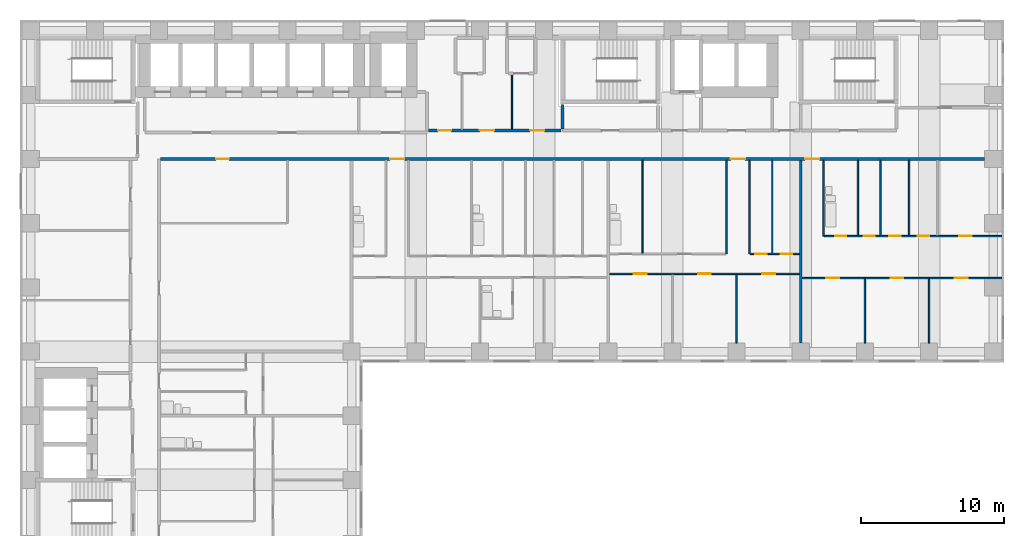
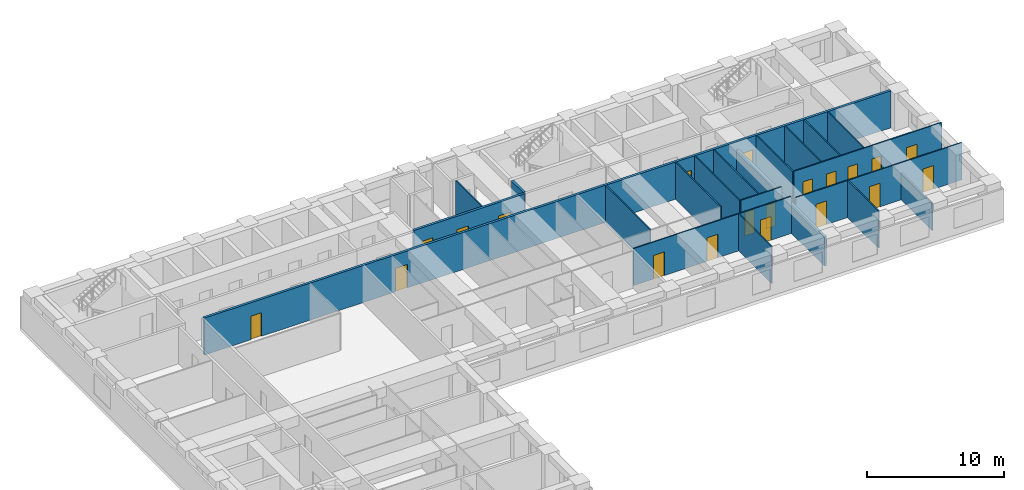
# One storey, part 7 of 12: 20 doors, 20 walls, 20 openings.
"""IFC4 building model written with IfcOpenShell, lengths in metres."""

from ifc_helpers import new_model, si_unit, direction, frame, frame_2d, origin, place, context, subcontext, project, spatial, rectangle, extrude, material, layer, layer_set, type_object, element, fill, save


model = new_model("IFC4")

# Units and contexts
model_context = context("Model", 3, precision=1e-05, world=origin(), true_north=direction((0.0, 1.0)))
body_context = subcontext(model_context, "Body", "Model", "MODEL_VIEW")
ifc_project = project(units=[si_unit("LENGTHUNIT", "METRE"), si_unit("AREAUNIT", "SQUARE_METRE"), si_unit("VOLUMEUNIT", "CUBIC_METRE"), si_unit("PLANEANGLEUNIT", "RADIAN"), si_unit("MASSUNIT", "GRAM", prefix="KILO")], contexts=[model_context])

# Site, building, storey
site_placement = place(None, origin())
site = spatial("IfcSite", under=ifc_project, at=site_placement, CompositionType="ELEMENT")
building_placement = place(site_placement, origin())
building = spatial("IfcBuilding", under=site, at=building_placement, Name="Firuza Court", CompositionType="ELEMENT")
storey_placement = place(building_placement, frame((0.0, 0.0, 54.199951171875)))
storey = spatial("IfcBuildingStorey", under=building, at=storey_placement, Name="L12", CompositionType="ELEMENT", Elevation=54.199951171875)

# Walls
ifc_material_1 = material(Name="Moisture-resistant gypsum board partition")
ifc_layer_1 = layer(ifc_material_1, 0.10009765625)
ifc_layer_set_1 = layer_set([ifc_layer_1], Name="Moisture-resistant gypsum board partition")
wall_type_1 = type_object("IfcWallType", Name="Bathroom partition 100", PredefinedType="PLUMBINGWALL", material=ifc_layer_set_1)
wall_1_placement = place(storey_placement, frame((42.89990234375, 42.89990234375, 0.0), z_axis=(0.0, 0.0, 1.0), x_axis=(0.0, 1.0, 0.0)))
element("IfcWall", 1, at=wall_1_placement, inside=storey, type_object=wall_type_1, Name="Bathroom partition 100 L12", PredefinedType="PLUMBINGWALL", context=body_context, shape_type="SweptSolid", body=[
    extrude(rectangle(XDim=6.5, YDim=0.10009765625, at=frame_2d((3.25, 0.0))), origin(), (0.0, 0.0, 1.0), 3.300048828125),
])
wall_2_placement = place(storey_placement, frame((55.60009765625, 44.10009765625, 0.0), z_axis=(0.0, 0.0, 1.0), x_axis=(0.0, 1.0, 0.0)))
element("IfcWall", 2, at=wall_2_placement, inside=storey, type_object=wall_type_1, Name="Bathroom partition 100 L12", PredefinedType="PLUMBINGWALL", context=body_context, shape_type="SweptSolid", body=[
    extrude(rectangle(XDim=5.2998046875, YDim=0.10009765625, at=frame_2d((2.64990234375, 0.0))), origin(), (0.0, 0.0, 1.0), 3.300048828125),
])
wall_3_placement = place(storey_placement, frame((58.0, 44.14990234375, 0.0), z_axis=(0.0, 0.0, 1.0), x_axis=(0.0, 1.0, 0.0)))
element("IfcWall", 3, at=wall_3_placement, inside=storey, type_object=wall_type_1, Name="Bathroom partition 100 L12", PredefinedType="PLUMBINGWALL", context=body_context, shape_type="SweptSolid", body=[
    extrude(rectangle(XDim=5.25, YDim=0.10009765625, at=frame_2d((2.625, 0.0))), origin(), (0.0, 0.0, 1.0), 3.300048828125),
])

# Wall, openings, doors
ifc_material_2 = material(Name="Blockwork, plastered both sides", Category="masonry")
ifc_layer_2 = layer(ifc_material_2, 0.199951171875)
ifc_layer_set_2 = layer_set([ifc_layer_2], Name="Blockwork, plastered both sides")
wall_type_2 = type_object("IfcWallType", Name="Corridor wall 200", PredefinedType="PARTITIONING", material=ifc_layer_set_2)
wall_4_placement = place(storey_placement, frame((9.10009765625, 49.5, 0.0), z_axis=(0.0, 0.0, 1.0), x_axis=(1.0, 0.0, 0.0)))
wall_4 = element("IfcWall", 4, at=wall_4_placement, inside=storey, type_object=wall_type_2, Name="Corridor wall 200 L12", PredefinedType="PARTITIONING", context=body_context, shape_type="SweptSolid", body=[
    extrude(rectangle(XDim=57.7998046875, YDim=0.199951171875, at=frame_2d((28.89990234375, 0.0))), origin(), (0.0, 0.0, 1.0), 3.300048828125),
])
opening_1_placement = place(wall_4_placement, frame((16.10009765625, 0.0, 0.0)))
opening_1 = element("IfcOpeningElement", 5, at=opening_1_placement, cuts=wall_4, Name="Opening D12070", PredefinedType="OPENING", context=body_context, shape_type="SweptSolid", body=[
    extrude(rectangle(XDim=1.0, YDim=2.10009765625, at=frame_2d((0.5, 1.050048828125))), frame((0.0, 0.11181640625, 0.0), z_axis=(0.0, -1.0, 0.0), x_axis=(1.0, 0.0, 0.0)), (0.0, 0.0, 1.0), 0.223876953125),
])
opening_2_placement = place(wall_4_placement, frame((40.0, 0.0, 0.0)))
opening_2 = element("IfcOpeningElement", 6, at=opening_2_placement, cuts=wall_4, Name="Opening D12071", PredefinedType="OPENING", context=body_context, shape_type="SweptSolid", body=[
    extrude(rectangle(XDim=1.0, YDim=2.10009765625, at=frame_2d((0.5, 1.050048828125))), frame((0.0, 0.11181640625, 0.0), z_axis=(0.0, -1.0, 0.0), x_axis=(1.0, 0.0, 0.0)), (0.0, 0.0, 1.0), 0.223876953125),
])
opening_3_placement = place(wall_4_placement, frame((45.199951171875, 0.0, 0.0)))
opening_3 = element("IfcOpeningElement", 7, at=opening_3_placement, cuts=wall_4, Name="Opening D12072", PredefinedType="OPENING", context=body_context, shape_type="SweptSolid", body=[
    extrude(rectangle(XDim=1.0, YDim=2.10009765625, at=frame_2d((0.5, 1.050048828125))), frame((0.0, 0.11181640625, 0.0), z_axis=(0.0, -1.0, 0.0), x_axis=(1.0, 0.0, 0.0)), (0.0, 0.0, 1.0), 0.223876953125),
])
opening_4_placement = place(wall_4_placement, frame((3.89990234375, 0.0, 0.0)))
opening_4 = element("IfcOpeningElement", 8, at=opening_4_placement, cuts=wall_4, Name="Opening D12073", PredefinedType="OPENING", context=body_context, shape_type="SweptSolid", body=[
    extrude(rectangle(XDim=0.89990234375, YDim=2.10009765625, at=frame_2d((0.449951171875, 1.050048828125))), frame((0.0, 0.11181640625, 0.0), z_axis=(0.0, -1.0, 0.0), x_axis=(1.0, 0.0, 0.0)), (0.0, 0.0, 1.0), 0.223876953125),
])
ifc_material_3 = material(Name="Timber door leaf in hardwood frame", Category="wood")
door_type_1 = type_object("IfcDoorType", Name="Flat entrance door 1000", OperationType="SINGLE_SWING_LEFT", PredefinedType="DOOR", material=ifc_material_3)
door_1_placement = place(opening_1_placement, origin())
door_1 = element("IfcDoor", 9, at=door_1_placement, inside=storey, type_object=door_type_1, Name="Flat entrance door", OperationType="SINGLE_SWING_LEFT", OverallHeight=2.10009765625, OverallWidth=1.0, PredefinedType="DOOR", context=body_context, shape_type="SweptSolid", body=[
    extrude(rectangle(XDim=1.0, YDim=2.10009765625, at=frame_2d((0.5, 1.050048828125))), frame((0.0, 0.02490234375, 0.0), z_axis=(0.0, -1.0, 0.0), x_axis=(1.0, 0.0, 0.0)), (0.0, 0.0, 1.0), 0.050048828125),
])
fill(opening_1, door_1)
door_2_placement = place(opening_2_placement, origin())
door_2 = element("IfcDoor", 10, at=door_2_placement, inside=storey, type_object=door_type_1, Name="Flat entrance door", OperationType="SINGLE_SWING_LEFT", OverallHeight=2.10009765625, OverallWidth=1.0, PredefinedType="DOOR", context=body_context, shape_type="SweptSolid", body=[
    extrude(rectangle(XDim=1.0, YDim=2.10009765625, at=frame_2d((0.5, 1.050048828125))), frame((0.0, 0.02490234375, 0.0), z_axis=(0.0, -1.0, 0.0), x_axis=(1.0, 0.0, 0.0)), (0.0, 0.0, 1.0), 0.050048828125),
])
fill(opening_2, door_2)
door_3_placement = place(opening_3_placement, origin())
door_3 = element("IfcDoor", 11, at=door_3_placement, inside=storey, type_object=door_type_1, Name="Flat entrance door", OperationType="SINGLE_SWING_LEFT", OverallHeight=2.10009765625, OverallWidth=1.0, PredefinedType="DOOR", context=body_context, shape_type="SweptSolid", body=[
    extrude(rectangle(XDim=1.0, YDim=2.10009765625, at=frame_2d((0.5, 1.050048828125))), frame((0.0, 0.02490234375, 0.0), z_axis=(0.0, -1.0, 0.0), x_axis=(1.0, 0.0, 0.0)), (0.0, 0.0, 1.0), 0.050048828125),
])
fill(opening_3, door_3)
ifc_material_4 = material(Name="Timber door leaf in hardwood frame", Category="wood")
door_type_2 = type_object("IfcDoorType", Name="Room door 900 EI 30", OperationType="SINGLE_SWING_LEFT", PredefinedType="DOOR", material=ifc_material_4)
door_4_placement = place(opening_4_placement, origin())
door_4 = element("IfcDoor", 12, at=door_4_placement, inside=storey, type_object=door_type_2, Name="Fitness studio door", OperationType="SINGLE_SWING_LEFT", OverallHeight=2.10009765625, OverallWidth=0.89990234375, PredefinedType="DOOR", context=body_context, shape_type="SweptSolid", body=[
    extrude(rectangle(XDim=0.89990234375, YDim=2.10009765625, at=frame_2d((0.449951171875, 1.050048828125))), frame((0.0, 0.02490234375, 0.0), z_axis=(0.0, -1.0, 0.0), x_axis=(1.0, 0.0, 0.0)), (0.0, 0.0, 1.0), 0.050048828125),
])
fill(opening_4, door_4)

wall_5_placement = place(storey_placement, frame((27.89990234375, 51.5, 0.0), z_axis=(0.0, 0.0, 1.0), x_axis=(1.0, 0.0, 0.0)))
wall_5 = element("IfcWall", 13, at=wall_5_placement, inside=storey, type_object=wall_type_2, Name="Corridor wall 200 L12", PredefinedType="PARTITIONING", context=body_context, shape_type="SweptSolid", body=[
    extrude(rectangle(XDim=9.300048828125, YDim=0.199951171875, at=frame_2d((4.64990234375, 0.0))), origin(), (0.0, 0.0, 1.0), 3.300048828125),
])
opening_5_placement = place(wall_5_placement, frame((0.675048828125, 0.0, 0.0)))
opening_5 = element("IfcOpeningElement", 14, at=opening_5_placement, cuts=wall_5, Name="Opening D12074", PredefinedType="OPENING", context=body_context, shape_type="SweptSolid", body=[
    extrude(rectangle(XDim=0.89990234375, YDim=2.10009765625, at=frame_2d((0.449951171875, 1.050048828125))), frame((0.0, 0.11181640625, 0.0), z_axis=(0.0, -1.0, 0.0), x_axis=(1.0, 0.0, 0.0)), (0.0, 0.0, 1.0), 0.223876953125),
])
opening_6_placement = place(wall_5_placement, frame((3.60009765625, 0.0, 0.0)))
opening_6 = element("IfcOpeningElement", 15, at=opening_6_placement, cuts=wall_5, Name="Opening D12075", PredefinedType="OPENING", context=body_context, shape_type="SweptSolid", body=[
    extrude(rectangle(XDim=1.0, YDim=2.10009765625, at=frame_2d((0.5, 1.050048828125))), frame((0.0, 0.11181640625, 0.0), z_axis=(0.0, -1.0, 0.0), x_axis=(1.0, 0.0, 0.0)), (0.0, 0.0, 1.0), 0.223876953125),
])
opening_7_placement = place(wall_5_placement, frame((7.125, 0.0, 0.0)))
opening_7 = element("IfcOpeningElement", 16, at=opening_7_placement, cuts=wall_5, Name="Opening D12076", PredefinedType="OPENING", context=body_context, shape_type="SweptSolid", body=[
    extrude(rectangle(XDim=1.0, YDim=2.10009765625, at=frame_2d((0.5, 1.050048828125))), frame((0.0, 0.11181640625, 0.0), z_axis=(0.0, -1.0, 0.0), x_axis=(1.0, 0.0, 0.0)), (0.0, 0.0, 1.0), 0.223876953125),
])
door_5_placement = place(opening_5_placement, origin())
door_5 = element("IfcDoor", 17, at=door_5_placement, inside=storey, type_object=door_type_2, Name="Residents' workroom door", OperationType="SINGLE_SWING_LEFT", OverallHeight=2.10009765625, OverallWidth=0.89990234375, PredefinedType="DOOR", context=body_context, shape_type="SweptSolid", body=[
    extrude(rectangle(XDim=0.89990234375, YDim=2.10009765625, at=frame_2d((0.449951171875, 1.050048828125))), frame((0.0, 0.02490234375, 0.0), z_axis=(0.0, -1.0, 0.0), x_axis=(1.0, 0.0, 0.0)), (0.0, 0.0, 1.0), 0.050048828125),
])
fill(opening_5, door_5)
ifc_material_5 = material(Name="Timber door leaf in hardwood frame", Category="wood")
door_type_3 = type_object("IfcDoorType", Name="Store door 1000", OperationType="SINGLE_SWING_LEFT", PredefinedType="DOOR", material=ifc_material_5)
door_6_placement = place(opening_6_placement, origin())
door_6 = element("IfcDoor", 18, at=door_6_placement, inside=storey, type_object=door_type_3, Name="Refuse store door", OperationType="SINGLE_SWING_LEFT", OverallHeight=2.10009765625, OverallWidth=1.0, PredefinedType="DOOR", context=body_context, shape_type="SweptSolid", body=[
    extrude(rectangle(XDim=1.0, YDim=2.10009765625, at=frame_2d((0.5, 1.050048828125))), frame((0.0, 0.02490234375, 0.0), z_axis=(0.0, -1.0, 0.0), x_axis=(1.0, 0.0, 0.0)), (0.0, 0.0, 1.0), 0.050048828125),
])
fill(opening_6, door_6)
door_7_placement = place(opening_7_placement, origin())
door_7 = element("IfcDoor", 19, at=door_7_placement, inside=storey, type_object=door_type_3, Name="Cleaner's store door", OperationType="SINGLE_SWING_LEFT", OverallHeight=2.10009765625, OverallWidth=1.0, PredefinedType="DOOR", context=body_context, shape_type="SweptSolid", body=[
    extrude(rectangle(XDim=1.0, YDim=2.10009765625, at=frame_2d((0.5, 1.050048828125))), frame((0.0, 0.02490234375, 0.0), z_axis=(0.0, -1.0, 0.0), x_axis=(1.0, 0.0, 0.0)), (0.0, 0.0, 1.0), 0.050048828125),
])
fill(opening_7, door_7)

# Walls
ifc_material_6 = material(Name="Timber stud partition, plasterboard both sides", Category="wood")
ifc_layer_3 = layer(ifc_material_6, 0.10009765625)
ifc_layer_set_3 = layer_set([ifc_layer_3], Name="Timber stud partition, plasterboard both sides")
wall_type_3 = type_object("IfcWallType", Name="Partition wall 100", PredefinedType="PARTITIONING", material=ifc_layer_set_3)
wall_6_placement = place(storey_placement, frame((49.5, 36.60009765625, 0.0), z_axis=(0.0, 0.0, 1.0), x_axis=(0.0, 1.0, 0.0)))
element("IfcWall", 20, at=wall_6_placement, inside=storey, type_object=wall_type_3, Name="Partition wall 100 L12", PredefinedType="PARTITIONING", context=body_context, shape_type="SweptSolid", body=[
    extrude(rectangle(XDim=4.7998046875, YDim=0.10009765625, at=frame_2d((2.39990234375, 0.0))), origin(), (0.0, 0.0, 1.0), 3.300048828125),
])
wall_7_placement = place(storey_placement, frame((58.5, 36.60009765625, 0.0), z_axis=(0.0, 0.0, 1.0), x_axis=(0.0, 1.0, 0.0)))
element("IfcWall", 21, at=wall_7_placement, inside=storey, type_object=wall_type_3, Name="Partition wall 100 L12", PredefinedType="PARTITIONING", context=body_context, shape_type="SweptSolid", body=[
    extrude(rectangle(XDim=4.5, YDim=0.10009765625, at=frame_2d((2.25, 0.0))), origin(), (0.0, 0.0, 1.0), 3.300048828125),
])
wall_8_placement = place(storey_placement, frame((63.0, 36.60009765625, 0.0), z_axis=(0.0, 0.0, 1.0), x_axis=(0.0, 1.0, 0.0)))
element("IfcWall", 22, at=wall_8_placement, inside=storey, type_object=wall_type_3, Name="Partition wall 100 L12", PredefinedType="PARTITIONING", context=body_context, shape_type="SweptSolid", body=[
    extrude(rectangle(XDim=4.5, YDim=0.10009765625, at=frame_2d((2.25, 0.0))), origin(), (0.0, 0.0, 1.0), 2.400146484375),
])

# Wall, openings, doors
wall_9_placement = place(storey_placement, frame((54.10009765625, 41.14990234375, 0.0), z_axis=(0.0, 0.0, 1.0), x_axis=(1.0, 0.0, 0.0)))
wall_9 = element("IfcWall", 23, at=wall_9_placement, inside=storey, type_object=wall_type_3, Name="Partition wall 100 L12", PredefinedType="PARTITIONING", context=body_context, shape_type="SweptSolid", body=[
    extrude(rectangle(XDim=14.0, YDim=0.10009765625, at=frame_2d((7.0, 0.0))), origin(), (0.0, 0.0, 1.0), 3.300048828125),
])
opening_8_placement = place(wall_9_placement, frame((1.699951171875, 0.0, 0.0)))
opening_8 = element("IfcOpeningElement", 24, at=opening_8_placement, cuts=wall_9, Name="Opening D12044", PredefinedType="OPENING", context=body_context, shape_type="SweptSolid", body=[
    extrude(rectangle(XDim=0.89990234375, YDim=2.10009765625, at=frame_2d((0.449951171875, 1.050048828125))), frame((0.0, 0.06201171875, 0.0), z_axis=(0.0, -1.0, 0.0), x_axis=(1.0, 0.0, 0.0)), (0.0, 0.0, 1.0), 0.1240234375),
])
opening_9_placement = place(wall_9_placement, frame((6.199951171875, 0.0, 0.0)))
opening_9 = element("IfcOpeningElement", 25, at=opening_9_placement, cuts=wall_9, Name="Opening D12045", PredefinedType="OPENING", context=body_context, shape_type="SweptSolid", body=[
    extrude(rectangle(XDim=0.89990234375, YDim=2.10009765625, at=frame_2d((0.449951171875, 1.050048828125))), frame((0.0, 0.06201171875, 0.0), z_axis=(0.0, -1.0, 0.0), x_axis=(1.0, 0.0, 0.0)), (0.0, 0.0, 1.0), 0.1240234375),
])
opening_10_placement = place(wall_9_placement, frame((10.699951171875, 0.0, 0.0)))
opening_10 = element("IfcOpeningElement", 26, at=opening_10_placement, cuts=wall_9, Name="Opening D12046", PredefinedType="OPENING", context=body_context, shape_type="SweptSolid", body=[
    extrude(rectangle(XDim=0.89990234375, YDim=2.10009765625, at=frame_2d((0.449951171875, 1.050048828125))), frame((0.0, 0.06201171875, 0.0), z_axis=(0.0, -1.0, 0.0), x_axis=(1.0, 0.0, 0.0)), (0.0, 0.0, 1.0), 0.1240234375),
])
ifc_material_7 = material(Name="Timber door leaf in hardwood frame", Category="wood")
door_type_4 = type_object("IfcDoorType", Name="Room door 900", OperationType="SINGLE_SWING_LEFT", PredefinedType="DOOR", material=ifc_material_7)
door_8_placement = place(opening_8_placement, frame((0.89990234375, 0.0, 0.0), z_axis=(0.0, 0.0, 1.0), x_axis=(-1.0, 0.0, 0.0)))
door_8 = element("IfcDoor", 27, at=door_8_placement, inside=storey, type_object=door_type_4, Name="Living room door", OperationType="SINGLE_SWING_RIGHT", OverallHeight=2.10009765625, OverallWidth=0.89990234375, PredefinedType="DOOR", context=body_context, shape_type="SweptSolid", body=[
    extrude(rectangle(XDim=0.89990234375, YDim=2.10009765625, at=frame_2d((0.449951171875, 1.050048828125))), frame((0.0, 0.02490234375, 0.0), z_axis=(0.0, -1.0, 0.0), x_axis=(1.0, 0.0, 0.0)), (0.0, 0.0, 1.0), 0.050048828125),
])
fill(opening_8, door_8)
door_9_placement = place(opening_9_placement, frame((0.89990234375, 0.0, 0.0), z_axis=(0.0, 0.0, 1.0), x_axis=(-1.0, 0.0, 0.0)))
door_9 = element("IfcDoor", 28, at=door_9_placement, inside=storey, type_object=door_type_4, Name="Bedroom door", OperationType="SINGLE_SWING_RIGHT", OverallHeight=2.10009765625, OverallWidth=0.89990234375, PredefinedType="DOOR", context=body_context, shape_type="SweptSolid", body=[
    extrude(rectangle(XDim=0.89990234375, YDim=2.10009765625, at=frame_2d((0.449951171875, 1.050048828125))), frame((0.0, 0.02490234375, 0.0), z_axis=(0.0, -1.0, 0.0), x_axis=(1.0, 0.0, 0.0)), (0.0, 0.0, 1.0), 0.050048828125),
])
fill(opening_9, door_9)
door_10_placement = place(opening_10_placement, frame((0.89990234375, 0.0, 0.0), z_axis=(0.0, 0.0, 1.0), x_axis=(-1.0, 0.0, 0.0)))
door_10 = element("IfcDoor", 29, at=door_10_placement, inside=storey, type_object=door_type_4, Name="Bedroom door", OperationType="SINGLE_SWING_LEFT", OverallHeight=2.10009765625, OverallWidth=0.89990234375, PredefinedType="DOOR", context=body_context, shape_type="SweptSolid", body=[
    extrude(rectangle(XDim=0.89990234375, YDim=2.10009765625, at=frame_2d((0.449951171875, 1.050048828125))), frame((0.0, 0.02490234375, 0.0), z_axis=(0.0, -1.0, 0.0), x_axis=(1.0, 0.0, 0.0)), (0.0, 0.0, 1.0), 0.050048828125),
])
fill(opening_10, door_10)

wall_10_placement = place(storey_placement, frame((40.60009765625, 41.449951171875, 0.0), z_axis=(0.0, 0.0, 1.0), x_axis=(1.0, 0.0, 0.0)))
wall_10 = element("IfcWall", 30, at=wall_10_placement, inside=storey, type_object=wall_type_3, Name="Partition wall 100 L12", PredefinedType="PARTITIONING", context=body_context, shape_type="SweptSolid", body=[
    extrude(rectangle(XDim=13.2998046875, YDim=0.10009765625, at=frame_2d((6.64990234375, 0.0))), origin(), (0.0, 0.0, 1.0), 3.300048828125),
])
opening_11_placement = place(wall_10_placement, frame((1.699951171875, 0.0, 0.0)))
opening_11 = element("IfcOpeningElement", 31, at=opening_11_placement, cuts=wall_10, Name="Opening D12051", PredefinedType="OPENING", context=body_context, shape_type="SweptSolid", body=[
    extrude(rectangle(XDim=0.89990234375, YDim=2.10009765625, at=frame_2d((0.449951171875, 1.050048828125))), frame((0.0, 0.06201171875, 0.0), z_axis=(0.0, -1.0, 0.0), x_axis=(1.0, 0.0, 0.0)), (0.0, 0.0, 1.0), 0.1240234375),
])
opening_12_placement = place(wall_10_placement, frame((6.199951171875, 0.0, 0.0)))
opening_12 = element("IfcOpeningElement", 32, at=opening_12_placement, cuts=wall_10, Name="Opening D12052", PredefinedType="OPENING", context=body_context, shape_type="SweptSolid", body=[
    extrude(rectangle(XDim=0.89990234375, YDim=2.10009765625, at=frame_2d((0.449951171875, 1.050048828125))), frame((0.0, 0.06201171875, 0.0), z_axis=(0.0, -1.0, 0.0), x_axis=(1.0, 0.0, 0.0)), (0.0, 0.0, 1.0), 0.1240234375),
])
opening_13_placement = place(wall_10_placement, frame((10.699951171875, 0.0, 0.0)))
opening_13 = element("IfcOpeningElement", 33, at=opening_13_placement, cuts=wall_10, Name="Opening D12053", PredefinedType="OPENING", context=body_context, shape_type="SweptSolid", body=[
    extrude(rectangle(XDim=0.89990234375, YDim=2.10009765625, at=frame_2d((0.449951171875, 1.050048828125))), frame((0.0, 0.06201171875, 0.0), z_axis=(0.0, -1.0, 0.0), x_axis=(1.0, 0.0, 0.0)), (0.0, 0.0, 1.0), 0.1240234375),
])
door_11_placement = place(opening_11_placement, frame((0.89990234375, 0.0, 0.0), z_axis=(0.0, 0.0, 1.0), x_axis=(-1.0, 0.0, 0.0)))
door_11 = element("IfcDoor", 34, at=door_11_placement, inside=storey, type_object=door_type_4, Name="Bedroom door", OperationType="SINGLE_SWING_RIGHT", OverallHeight=2.10009765625, OverallWidth=0.89990234375, PredefinedType="DOOR", context=body_context, shape_type="SweptSolid", body=[
    extrude(rectangle(XDim=0.89990234375, YDim=2.10009765625, at=frame_2d((0.449951171875, 1.050048828125))), frame((0.0, 0.02490234375, 0.0), z_axis=(0.0, -1.0, 0.0), x_axis=(1.0, 0.0, 0.0)), (0.0, 0.0, 1.0), 0.050048828125),
])
fill(opening_11, door_11)
door_12_placement = place(opening_12_placement, frame((0.89990234375, 0.0, 0.0), z_axis=(0.0, 0.0, 1.0), x_axis=(-1.0, 0.0, 0.0)))
door_12 = element("IfcDoor", 35, at=door_12_placement, inside=storey, type_object=door_type_4, Name="Living room door", OperationType="SINGLE_SWING_RIGHT", OverallHeight=2.10009765625, OverallWidth=0.89990234375, PredefinedType="DOOR", context=body_context, shape_type="SweptSolid", body=[
    extrude(rectangle(XDim=0.89990234375, YDim=2.10009765625, at=frame_2d((0.449951171875, 1.050048828125))), frame((0.0, 0.02490234375, 0.0), z_axis=(0.0, -1.0, 0.0), x_axis=(1.0, 0.0, 0.0)), (0.0, 0.0, 1.0), 0.050048828125),
])
fill(opening_12, door_12)
door_13_placement = place(opening_13_placement, frame((0.89990234375, 0.0, 0.0), z_axis=(0.0, 0.0, 1.0), x_axis=(-1.0, 0.0, 0.0)))
door_13 = element("IfcDoor", 36, at=door_13_placement, inside=storey, type_object=door_type_4, Name="Bedroom door", OperationType="SINGLE_SWING_RIGHT", OverallHeight=2.10009765625, OverallWidth=0.89990234375, PredefinedType="DOOR", context=body_context, shape_type="SweptSolid", body=[
    extrude(rectangle(XDim=0.89990234375, YDim=2.10009765625, at=frame_2d((0.449951171875, 1.050048828125))), frame((0.0, 0.02490234375, 0.0), z_axis=(0.0, -1.0, 0.0), x_axis=(1.0, 0.0, 0.0)), (0.0, 0.0, 1.0), 0.050048828125),
])
fill(opening_13, door_13)

# Walls
for number, where, z_axis, x_axis, name in (
    (37, (48.800048828125, 42.85009765625, 0.0), (0.0, 0.0, 1.0), (0.0, 1.0, 0.0), "Partition wall 100 L12"),
    (38, (50.39990234375, 42.85009765625, 0.0), (0.0, 0.0, 1.0), (0.0, 1.0, 0.0), "Partition wall 100 L12"),
):
    element("IfcWall", number, at=place(storey_placement, frame(where, z_axis=z_axis, x_axis=x_axis)), inside=storey, type_object=wall_type_3, Name=name, PredefinedType="PARTITIONING", context=body_context, shape_type="SweptSolid", body=[
        extrude(rectangle(XDim=6.5498046875, YDim=0.10009765625, at=frame_2d((3.27490234375, 0.0))), origin(), (0.0, 0.0, 1.0), 3.300048828125),
    ])

# Wall, openings, doors
wall_11_placement = place(storey_placement, frame((50.449951171875, 42.85009765625, 0.0), z_axis=(0.0, 0.0, 1.0), x_axis=(1.0, 0.0, 0.0)))
wall_11 = element("IfcWall", 39, at=wall_11_placement, inside=storey, type_object=wall_type_3, Name="Partition wall 100 L12", PredefinedType="PARTITIONING", context=body_context, shape_type="SweptSolid", body=[
    extrude(rectangle(XDim=3.449951171875, YDim=0.10009765625, at=frame_2d((1.72509765625, 0.0))), origin(), (0.0, 0.0, 1.0), 3.300048828125),
])
opening_14_placement = place(wall_11_placement, frame((0.35009765625, 0.0, 0.0)))
opening_14 = element("IfcOpeningElement", 40, at=opening_14_placement, cuts=wall_11, Name="Opening D12063", PredefinedType="OPENING", context=body_context, shape_type="SweptSolid", body=[
    extrude(rectangle(XDim=0.800048828125, YDim=2.10009765625, at=frame_2d((0.39990234375, 1.050048828125))), frame((0.0, 0.06201171875, 0.0), z_axis=(0.0, -1.0, 0.0), x_axis=(1.0, 0.0, 0.0)), (0.0, 0.0, 1.0), 0.1240234375),
])
opening_15_placement = place(wall_11_placement, frame((2.14990234375, 0.0, 0.0)))
opening_15 = element("IfcOpeningElement", 41, at=opening_15_placement, cuts=wall_11, Name="Opening D12064", PredefinedType="OPENING", context=body_context, shape_type="SweptSolid", body=[
    extrude(rectangle(XDim=0.800048828125, YDim=2.10009765625, at=frame_2d((0.39990234375, 1.050048828125))), frame((0.0, 0.06201171875, 0.0), z_axis=(0.0, -1.0, 0.0), x_axis=(1.0, 0.0, 0.0)), (0.0, 0.0, 1.0), 0.1240234375),
])
ifc_material_8 = material(Name="Timber door leaf in hardwood frame", Category="wood")
door_type_5 = type_object("IfcDoorType", Name="Room door 800", OperationType="SINGLE_SWING_LEFT", PredefinedType="DOOR", material=ifc_material_8)
door_14_placement = place(opening_14_placement, origin())
door_14 = element("IfcDoor", 42, at=door_14_placement, inside=storey, type_object=door_type_5, Name="Store door", OperationType="SINGLE_SWING_LEFT", OverallHeight=2.10009765625, OverallWidth=0.800048828125, PredefinedType="DOOR", context=body_context, shape_type="SweptSolid", body=[
    extrude(rectangle(XDim=0.800048828125, YDim=2.10009765625, at=frame_2d((0.39990234375, 1.050048828125))), frame((0.0, 0.02490234375, 0.0), z_axis=(0.0, -1.0, 0.0), x_axis=(1.0, 0.0, 0.0)), (0.0, 0.0, 1.0), 0.050048828125),
])
fill(opening_14, door_14)
door_15_placement = place(opening_15_placement, origin())
door_15 = element("IfcDoor", 43, at=door_15_placement, inside=storey, type_object=door_type_5, Name="Utility room door", OperationType="SINGLE_SWING_LEFT", OverallHeight=2.10009765625, OverallWidth=0.800048828125, PredefinedType="DOOR", context=body_context, shape_type="SweptSolid", body=[
    extrude(rectangle(XDim=0.800048828125, YDim=2.10009765625, at=frame_2d((0.39990234375, 1.050048828125))), frame((0.0, 0.02490234375, 0.0), z_axis=(0.0, -1.0, 0.0), x_axis=(1.0, 0.0, 0.0)), (0.0, 0.0, 1.0), 0.050048828125),
])
fill(opening_15, door_15)

# Wall
wall_12_placement = place(storey_placement, frame((52.0, 42.89990234375, 0.0), z_axis=(0.0, 0.0, 1.0), x_axis=(0.0, 1.0, 0.0)))
element("IfcWall", 44, at=wall_12_placement, inside=storey, type_object=wall_type_3, Name="Partition wall 100 L12", PredefinedType="PARTITIONING", context=body_context, shape_type="SweptSolid", body=[
    extrude(rectangle(XDim=6.5, YDim=0.10009765625, at=frame_2d((3.25, 0.0))), origin(), (0.0, 0.0, 1.0), 3.300048828125),
])

# Wall, openings, doors
wall_13_placement = place(storey_placement, frame((55.64990234375, 44.10009765625, 0.0), z_axis=(0.0, 0.0, 1.0), x_axis=(1.0, 0.0, 0.0)))
wall_13 = element("IfcWall", 45, at=wall_13_placement, inside=storey, type_object=wall_type_3, Name="Partition wall 100 L12", PredefinedType="PARTITIONING", context=body_context, shape_type="SweptSolid", body=[
    extrude(rectangle(XDim=12.4501953125, YDim=0.10009765625, at=frame_2d((6.22509765625, 0.0))), origin(), (0.0, 0.0, 1.0), 3.300048828125),
])
opening_16_placement = place(wall_13_placement, frame((0.75, 0.0, 0.0)))
opening_16 = element("IfcOpeningElement", 46, at=opening_16_placement, cuts=wall_13, Name="Opening D12065", PredefinedType="OPENING", context=body_context, shape_type="SweptSolid", body=[
    extrude(rectangle(XDim=0.800048828125, YDim=2.10009765625, at=frame_2d((0.39990234375, 1.050048828125))), frame((0.0, 0.06201171875, 0.0), z_axis=(0.0, -1.0, 0.0), x_axis=(1.0, 0.0, 0.0)), (0.0, 0.0, 1.0), 0.1240234375),
])
opening_17_placement = place(wall_13_placement, frame((9.449951171875, 0.0, 0.0)))
opening_17 = element("IfcOpeningElement", 47, at=opening_17_placement, cuts=wall_13, Name="Opening D12066", PredefinedType="OPENING", context=body_context, shape_type="SweptSolid", body=[
    extrude(rectangle(XDim=0.89990234375, YDim=2.10009765625, at=frame_2d((0.449951171875, 1.050048828125))), frame((0.0, 0.06201171875, 0.0), z_axis=(0.0, -1.0, 0.0), x_axis=(1.0, 0.0, 0.0)), (0.0, 0.0, 1.0), 0.1240234375),
])
opening_18_placement = place(wall_13_placement, frame((6.550048828125, 0.0, 0.0)))
opening_18 = element("IfcOpeningElement", 48, at=opening_18_placement, cuts=wall_13, Name="Opening D12067", PredefinedType="OPENING", context=body_context, shape_type="SweptSolid", body=[
    extrude(rectangle(XDim=0.800048828125, YDim=2.10009765625, at=frame_2d((0.39990234375, 1.050048828125))), frame((0.0, 0.06201171875, 0.0), z_axis=(0.0, -1.0, 0.0), x_axis=(1.0, 0.0, 0.0)), (0.0, 0.0, 1.0), 0.1240234375),
])
opening_19_placement = place(wall_13_placement, frame((2.75, 0.0, 0.0)))
opening_19 = element("IfcOpeningElement", 49, at=opening_19_placement, cuts=wall_13, Name="Opening D12068", PredefinedType="OPENING", context=body_context, shape_type="SweptSolid", body=[
    extrude(rectangle(XDim=0.800048828125, YDim=2.10009765625, at=frame_2d((0.39990234375, 1.050048828125))), frame((0.0, 0.06201171875, 0.0), z_axis=(0.0, -1.0, 0.0), x_axis=(1.0, 0.0, 0.0)), (0.0, 0.0, 1.0), 0.1240234375),
])
opening_20_placement = place(wall_13_placement, frame((4.550048828125, 0.0, 0.0)))
opening_20 = element("IfcOpeningElement", 50, at=opening_20_placement, cuts=wall_13, Name="Opening D12069", PredefinedType="OPENING", context=body_context, shape_type="SweptSolid", body=[
    extrude(rectangle(XDim=0.800048828125, YDim=2.10009765625, at=frame_2d((0.39990234375, 1.050048828125))), frame((0.0, 0.06201171875, 0.0), z_axis=(0.0, -1.0, 0.0), x_axis=(1.0, 0.0, 0.0)), (0.0, 0.0, 1.0), 0.1240234375),
])
ifc_material_9 = material(Name="Timber door leaf in hardwood frame", Category="wood")
door_type_6 = type_object("IfcDoorType", Name="Bathroom door 800", OperationType="SINGLE_SWING_LEFT", PredefinedType="DOOR", material=ifc_material_9)
door_16_placement = place(opening_16_placement, origin())
door_16 = element("IfcDoor", 51, at=door_16_placement, inside=storey, type_object=door_type_6, Name="Bathroom door", OperationType="SINGLE_SWING_LEFT", OverallHeight=2.10009765625, OverallWidth=0.800048828125, PredefinedType="DOOR", context=body_context, shape_type="SweptSolid", body=[
    extrude(rectangle(XDim=0.800048828125, YDim=2.10009765625, at=frame_2d((0.39990234375, 1.050048828125))), frame((0.0, 0.02490234375, 0.0), z_axis=(0.0, -1.0, 0.0), x_axis=(1.0, 0.0, 0.0)), (0.0, 0.0, 1.0), 0.050048828125),
])
fill(opening_16, door_16)
door_17_placement = place(opening_18_placement, origin())
door_17 = element("IfcDoor", 52, at=door_17_placement, inside=storey, type_object=door_type_5, Name="Pantry door", OperationType="SINGLE_SWING_LEFT", OverallHeight=2.10009765625, OverallWidth=0.800048828125, PredefinedType="DOOR", context=body_context, shape_type="SweptSolid", body=[
    extrude(rectangle(XDim=0.800048828125, YDim=2.10009765625, at=frame_2d((0.39990234375, 1.050048828125))), frame((0.0, 0.02490234375, 0.0), z_axis=(0.0, -1.0, 0.0), x_axis=(1.0, 0.0, 0.0)), (0.0, 0.0, 1.0), 0.050048828125),
])
fill(opening_18, door_17)
door_18_placement = place(opening_19_placement, origin())
door_18 = element("IfcDoor", 53, at=door_18_placement, inside=storey, type_object=door_type_5, Name="Store door", OperationType="SINGLE_SWING_LEFT", OverallHeight=2.10009765625, OverallWidth=0.800048828125, PredefinedType="DOOR", context=body_context, shape_type="SweptSolid", body=[
    extrude(rectangle(XDim=0.800048828125, YDim=2.10009765625, at=frame_2d((0.39990234375, 1.050048828125))), frame((0.0, 0.02490234375, 0.0), z_axis=(0.0, -1.0, 0.0), x_axis=(1.0, 0.0, 0.0)), (0.0, 0.0, 1.0), 0.050048828125),
])
fill(opening_19, door_18)
door_19_placement = place(opening_20_placement, origin())
door_19 = element("IfcDoor", 54, at=door_19_placement, inside=storey, type_object=door_type_5, Name="Utility room door", OperationType="SINGLE_SWING_LEFT", OverallHeight=2.10009765625, OverallWidth=0.800048828125, PredefinedType="DOOR", context=body_context, shape_type="SweptSolid", body=[
    extrude(rectangle(XDim=0.800048828125, YDim=2.10009765625, at=frame_2d((0.39990234375, 1.050048828125))), frame((0.0, 0.02490234375, 0.0), z_axis=(0.0, -1.0, 0.0), x_axis=(1.0, 0.0, 0.0)), (0.0, 0.0, 1.0), 0.050048828125),
])
fill(opening_20, door_19)
door_20_placement = place(opening_17_placement, origin())
door_20 = element("IfcDoor", 55, at=door_20_placement, inside=storey, type_object=door_type_4, Name="Kitchen door", OperationType="SINGLE_SWING_LEFT", OverallHeight=2.10009765625, OverallWidth=0.89990234375, PredefinedType="DOOR", context=body_context, shape_type="SweptSolid", body=[
    extrude(rectangle(XDim=0.89990234375, YDim=2.10009765625, at=frame_2d((0.449951171875, 1.050048828125))), frame((0.0, 0.02490234375, 0.0), z_axis=(0.0, -1.0, 0.0), x_axis=(1.0, 0.0, 0.0)), (0.0, 0.0, 1.0), 0.050048828125),
])
fill(opening_17, door_20)

# Walls
for number, where, z_axis, x_axis, name in (
    (56, (59.60009765625, 44.14990234375, 0.0), (0.0, 0.0, 1.0), (0.0, 1.0, 0.0), "Partition wall 100 L12"),
    (57, (61.60009765625, 44.14990234375, 0.0), (0.0, 0.0, 1.0), (0.0, 1.0, 0.0), "Partition wall 100 L12"),
):
    element("IfcWall", number, at=place(storey_placement, frame(where, z_axis=z_axis, x_axis=x_axis)), inside=storey, type_object=wall_type_3, Name=name, PredefinedType="PARTITIONING", context=body_context, shape_type="SweptSolid", body=[
        extrude(rectangle(XDim=5.25, YDim=0.10009765625, at=frame_2d((2.625, 0.0))), origin(), (0.0, 0.0, 1.0), 3.300048828125),
    ])
wall_14_placement = place(storey_placement, frame((33.75, 51.60009765625, 0.0), z_axis=(0.0, 0.0, 1.0), x_axis=(0.0, 1.0, 0.0)))
element("IfcWall", 58, at=wall_14_placement, inside=storey, type_object=wall_type_3, Name="Partition wall 100 L12", PredefinedType="PARTITIONING", context=body_context, shape_type="SweptSolid", body=[
    extrude(rectangle(XDim=3.7998046875, YDim=0.10009765625, at=frame_2d((1.89990234375, 0.0))), origin(), (0.0, 0.0, 1.0), 3.300048828125),
])
ifc_layer_4 = layer(ifc_material_2, 0.199951171875)
ifc_layer_set_4 = layer_set([ifc_layer_4], Name="Blockwork, plastered both sides")
wall_type_4 = type_object("IfcWallType", Name="Party wall 200", PredefinedType="PARTITIONING", material=ifc_layer_set_4)
wall_15_placement = place(storey_placement, frame((54.0, 36.60009765625, 0.0), z_axis=(0.0, 0.0, 1.0), x_axis=(0.0, 1.0, 0.0)))
element("IfcWall", 59, at=wall_15_placement, inside=storey, type_object=wall_type_4, Name="Party wall 200 L12", PredefinedType="PARTITIONING", context=body_context, shape_type="SweptSolid", body=[
    extrude(rectangle(XDim=12.7998046875, YDim=0.199951171875, at=frame_2d((6.39990234375, 0.0))), origin(), (0.0, 0.0, 1.0), 2.60009765625),
])
ifc_material_10 = material(Name="Blockwork, fire-rated", Category="masonry")
ifc_layer_5 = layer(ifc_material_10, 0.199951171875)
ifc_layer_set_5 = layer_set([ifc_layer_5], Name="Blockwork, fire-rated")
wall_type_5 = type_object("IfcWallType", Name="Shaft wall 200", PredefinedType="PARTITIONING", material=ifc_layer_set_5)
wall_16_placement = place(storey_placement, frame((37.300048828125, 51.60009765625, 0.0), z_axis=(0.0, 0.0, 1.0), x_axis=(0.0, 1.0, 0.0)))
element("IfcWall", 60, at=wall_16_placement, inside=storey, type_object=wall_type_5, Name="Shaft wall 200 L12", PredefinedType="PARTITIONING", context=body_context, shape_type="SweptSolid", body=[
    extrude(rectangle(XDim=1.72998046875, YDim=0.199951171875, at=frame_2d((0.864990234375, 0.0))), origin(), (0.0, 0.0, 1.0), 3.300048828125),
])

save(model, "model.ifc")
